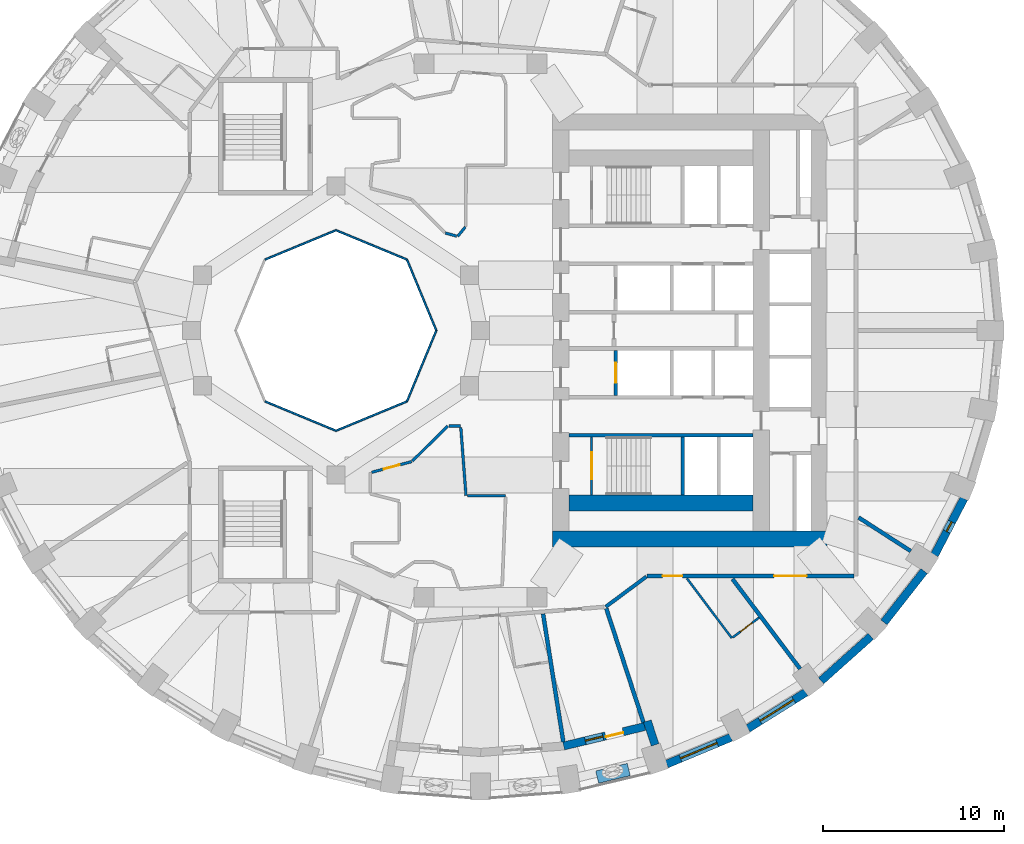
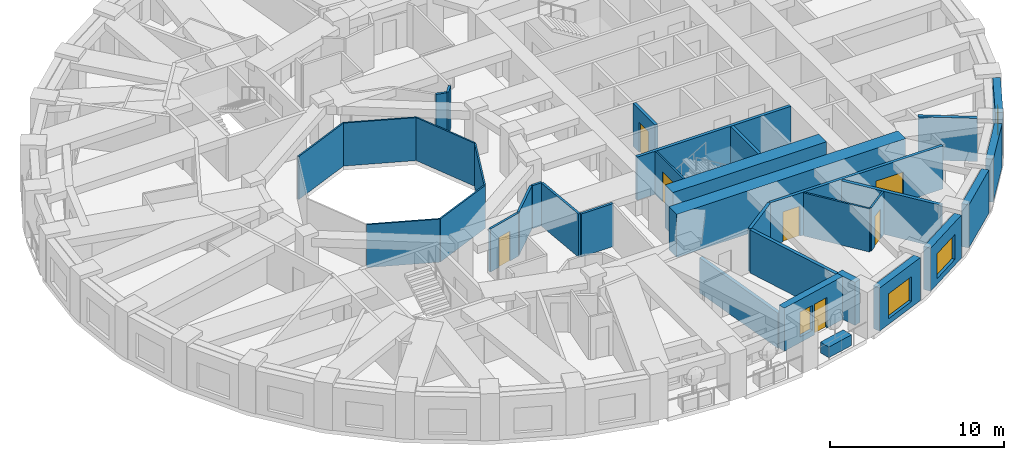
# One storey, part 5 of 13: 35 walls, 7 doors, 4 windows, 11 openings.
"""IFC4 building model written with IfcOpenShell, lengths in metres."""

from ifc_helpers import new_model, si_unit, direction, frame, frame_2d, origin, place, context, subcontext, project, spatial, rectangle, extrude, material, layer, layer_set, constituent, constituent_set, type_object, element, fill, save


model = new_model("IFC4")

# Units and contexts
model_context = context("Model", 3, precision=1e-05, world=origin(), true_north=direction((0.0, 1.0)))
body_context = subcontext(model_context, "Body", "Model", "MODEL_VIEW")
ifc_project = project(units=[si_unit("LENGTHUNIT", "METRE"), si_unit("AREAUNIT", "SQUARE_METRE"), si_unit("VOLUMEUNIT", "CUBIC_METRE"), si_unit("PLANEANGLEUNIT", "RADIAN"), si_unit("MASSUNIT", "GRAM", prefix="KILO")], contexts=[model_context])

# Site, building, storey
site_placement = place(None, origin())
site = spatial("IfcSite", under=ifc_project, at=site_placement, CompositionType="ELEMENT")
building_placement = place(site_placement, origin())
building = spatial("IfcBuilding", under=site, at=building_placement, Name="Taillehof Tower", CompositionType="ELEMENT")
storey_placement = place(building_placement, frame((0.0, 0.0, 38.199951171875)))
storey = spatial("IfcBuildingStorey", under=building, at=storey_placement, Name="L09", CompositionType="ELEMENT", Elevation=38.199951171875)

# Walls
ifc_material_1 = material(Name="Fire-resisting glass in steel frame", Category="steel")
ifc_layer_1 = layer(ifc_material_1, 0.10009765625)
ifc_layer_set_1 = layer_set([ifc_layer_1], Name="Atrium fire-resisting screen EI 60 100")
wall_type_1 = type_object("IfcWallType", Name="Atrium fire-resisting screen EI 60 100", PredefinedType="PARTITIONING", material=ifc_layer_set_1)
for number, where, z_axis, x_axis, name in (
    (1, (-2.44580078125, 0.0, 0.0), (0.0, 0.0, 1.0), (-0.382730523909, -0.923860025149, 0.0), "Atrium screen"),
    (2, (-4.07275390625, -3.92724609375, 0.0), (0.0, 0.0, 1.0), (-0.923860025149, -0.382730523909, 0.0), "Atrium screen"),
    (3, (-8.0, -5.55419921875, 0.0), (0.0, 0.0, 1.0), (-0.923860025149, 0.382730523909, 0.0), "Atrium screen"),
    (4, (-11.92724609375, 3.92724609375, 0.0), (0.0, 0.0, 1.0), (0.923860025149, 0.382730523909, 0.0), "Atrium screen"),
    (5, (-8.0, 5.55419921875, 0.0), (0.0, 0.0, 1.0), (0.923860025149, -0.382730523909, 0.0), "Atrium screen"),
    (6, (-4.07275390625, 3.92724609375, 0.0), (0.0, 0.0, 1.0), (0.382730523909, -0.923860025149, 0.0), "Atrium screen"),
):
    element("IfcWall", number, at=place(storey_placement, frame(where, z_axis=z_axis, x_axis=x_axis)), inside=storey, type_object=wall_type_1, Name=name, PredefinedType="PARTITIONING", context=body_context, shape_type="SweptSolid", body=[
        extrude(rectangle(XDim=4.2509765625, YDim=0.10009765625, at=frame_2d((2.12548828125, 0.0))), origin(), (0.0, 0.0, 1.0), 3.02001953125),
    ])

# Wall, opening, window
ifc_material_2 = material(Name="Brick masonry", Category="masonry")
ifc_layer_2 = layer(ifc_material_2, 0.449951171875)
ifc_layer_set_2 = layer_set([ifc_layer_2], Name="Brick infill wall 450")
wall_type_2 = type_object("IfcWallType", Name="Brick infill wall 450", PredefinedType="SOLIDWALL", material=ifc_layer_set_2)
wall_1_placement = place(storey_placement, frame((10.3154296875, -24.02099609375, 0.0), z_axis=(0.0, 0.0, 1.0), x_axis=(0.923031964282, 0.384723267966, 0.0)))
wall_1 = element("IfcWall", 7, at=wall_1_placement, inside=storey, type_object=wall_type_2, Name="Brick wall L09 bay 30", PredefinedType="SOLIDWALL", context=body_context, shape_type="SweptSolid", body=[
    extrude(rectangle(XDim=3.8564453125, YDim=0.449951171875, at=frame_2d((1.92822265625, 0.0))), origin(), (0.0, 0.0, 1.0), 3.02001953125),
])
opening_1_placement = place(wall_1_placement, frame((0.828125, 0.0, 0.39990234375)))
opening_1 = element("IfcOpeningElement", 8, at=opening_1_placement, cuts=wall_1, Name="Opening W1", PredefinedType="OPENING", context=body_context, shape_type="SweptSolid", body=[
    extrude(rectangle(XDim=2.199951171875, YDim=1.75, at=frame_2d((1.10009765625, 0.875))), frame((0.0, 0.23486328125, 0.0), z_axis=(0.0, -1.0, 0.0), x_axis=(1.0, 0.0, 0.0)), (0.0, 0.0, 1.0), 0.469970703125),
])
ifc_material_3 = material(Name="Aluminium window frame with clear double glazing", Category="aluminium")
window_type_1 = type_object("IfcWindowType", Name="Deep-set window 2200x1750", PartitioningType="SINGLE_PANEL", PredefinedType="WINDOW", material=ifc_material_3)
window_1_placement = place(opening_1_placement, origin())
window_1 = element("IfcWindow", 9, at=window_1_placement, inside=storey, type_object=window_type_1, Name="W1", OverallHeight=1.75, OverallWidth=2.199951171875, PartitioningType="SINGLE_PANEL", PredefinedType="WINDOW", context=body_context, shape_type="SweptSolid", body=[
    extrude(rectangle(XDim=2.199951171875, YDim=1.75, at=frame_2d((1.10009765625, 0.875))), frame((0.0, 0.034912109375, 0.0), z_axis=(0.0, -1.0, 0.0), x_axis=(1.0, 0.0, 0.0)), (0.0, 0.0, 1.0), 0.06005859375),
])
fill(opening_1, window_1)

wall_2_placement = place(storey_placement, frame((14.81689453125, -22.050537109375, 0.0), z_axis=(0.0, 0.0, 1.0), x_axis=(0.847635480093, 0.530579016629, 0.0)))
wall_2 = element("IfcWall", 10, at=wall_2_placement, inside=storey, type_object=wall_type_2, Name="Brick wall L09 bay 31", PredefinedType="SOLIDWALL", context=body_context, shape_type="SweptSolid", body=[
    extrude(rectangle(XDim=3.782470703125, YDim=0.449951171875, at=frame_2d((1.89111328125, 0.0))), origin(), (0.0, 0.0, 1.0), 3.02001953125),
])
opening_2_placement = place(wall_2_placement, frame((0.791259765625, 0.0, 0.39990234375)))
opening_2 = element("IfcOpeningElement", 11, at=opening_2_placement, cuts=wall_2, Name="Opening W1", PredefinedType="OPENING", context=body_context, shape_type="SweptSolid", body=[
    extrude(rectangle(XDim=2.199951171875, YDim=1.75, at=frame_2d((1.10009765625, 0.875))), frame((0.0, 0.23486328125, 0.0), z_axis=(0.0, -1.0, 0.0), x_axis=(1.0, 0.0, 0.0)), (0.0, 0.0, 1.0), 0.469970703125),
])
window_2_placement = place(opening_2_placement, origin())
window_2 = element("IfcWindow", 12, at=window_2_placement, inside=storey, type_object=window_type_1, Name="W1", OverallHeight=1.75, OverallWidth=2.199951171875, PartitioningType="SINGLE_PANEL", PredefinedType="WINDOW", context=body_context, shape_type="SweptSolid", body=[
    extrude(rectangle(XDim=2.199951171875, YDim=1.75, at=frame_2d((1.10009765625, 0.875))), frame((0.0, 0.034912109375, 0.0), z_axis=(0.0, -1.0, 0.0), x_axis=(1.0, 0.0, 0.0)), (0.0, 0.0, 1.0), 0.06005859375),
])
fill(opening_2, window_2)

# Walls
wall_3_placement = place(storey_placement, frame((18.87060546875, -19.406982421875, 0.0), z_axis=(0.0, 0.0, 1.0), x_axis=(0.745526233716, 0.66647628228, 0.0)))
element("IfcWall", 13, at=wall_3_placement, inside=storey, type_object=wall_type_2, Name="Brick wall L09 bay 32", PredefinedType="SOLIDWALL", context=body_context, shape_type="SweptSolid", body=[
    extrude(rectangle(XDim=3.69677734375, YDim=0.449951171875, at=frame_2d((1.848388671875, 0.0))), origin(), (0.0, 0.0, 1.0), 3.02001953125),
])
wall_4_placement = place(storey_placement, frame((22.3515625, -16.169677734375, 0.0), z_axis=(0.0, 0.0, 1.0), x_axis=(0.616661975264, 0.787228053529, 0.0)))
element("IfcWall", 14, at=wall_4_placement, inside=storey, type_object=wall_type_2, Name="Brick wall L09 bay 33", PredefinedType="SOLIDWALL", context=body_context, shape_type="SweptSolid", body=[
    extrude(rectangle(XDim=3.60986328125, YDim=0.449951171875, at=frame_2d((1.804931640625, 0.0))), origin(), (0.0, 0.0, 1.0), 3.02001953125),
])

# Wall, opening, window
wall_5_placement = place(storey_placement, frame((25.152099609375, -12.436767578125, 0.0), z_axis=(0.0, 0.0, 1.0), x_axis=(0.462492775226, 0.886623050041, 0.0)))
wall_5 = element("IfcWall", 15, at=wall_5_placement, inside=storey, type_object=wall_type_2, Name="Brick wall L09 bay 34", PredefinedType="SOLIDWALL", context=body_context, shape_type="SweptSolid", body=[
    extrude(rectangle(XDim=3.531982421875, YDim=0.449951171875, at=frame_2d((1.76611328125, 0.0))), origin(), (0.0, 0.0, 1.0), 3.02001953125),
])
opening_3_placement = place(wall_5_placement, frame((1.466064453125, 0.0, 0.39990234375)))
opening_3 = element("IfcOpeningElement", 16, at=opening_3_placement, cuts=wall_5, Name="Opening W6", PredefinedType="OPENING", context=body_context, shape_type="SweptSolid", body=[
    extrude(rectangle(XDim=0.60009765625, YDim=1.75, at=frame_2d((0.300048828125, 0.875))), frame((0.0, 0.23486328125, 0.0), z_axis=(0.0, -1.0, 0.0), x_axis=(1.0, 0.0, 0.0)), (0.0, 0.0, 1.0), 0.469970703125),
])
ifc_material_4 = material(Name="Aluminium window frame with clear double glazing", Category="aluminium")
window_type_2 = type_object("IfcWindowType", Name="Slot window 600x1750", PartitioningType="SINGLE_PANEL", PredefinedType="WINDOW", material=ifc_material_4)
window_3_placement = place(opening_3_placement, origin())
window_3 = element("IfcWindow", 17, at=window_3_placement, inside=storey, type_object=window_type_2, Name="W6", OverallHeight=1.75, OverallWidth=0.60009765625, PartitioningType="SINGLE_PANEL", PredefinedType="WINDOW", context=body_context, shape_type="SweptSolid", body=[
    extrude(rectangle(XDim=0.60009765625, YDim=1.75, at=frame_2d((0.300048828125, 0.875))), frame((0.0, 0.034912109375, 0.0), z_axis=(0.0, -1.0, 0.0), x_axis=(1.0, 0.0, 0.0)), (0.0, 0.0, 1.0), 0.06005859375),
])
fill(opening_3, window_3)

# Wall
wall_6_placement = place(storey_placement, frame((9.673583984375, -22.95556640625, 0.0), z_axis=(0.0, 0.0, 1.0), x_axis=(-0.310269011655, 0.950648799719, 0.0)))
element("IfcWall", 18, at=wall_6_placement, inside=storey, type_object=wall_type_2, Name="Brick reveal L09 pocket 8", PredefinedType="SOLIDWALL", context=body_context, shape_type="SweptSolid", body=[
    extrude(rectangle(XDim=1.390380859375, YDim=0.449951171875, at=frame_2d((0.6953125, 0.0))), origin(), (0.0, 0.0, 1.0), 3.02001953125),
])

# Wall, openings, door, window
wall_7_placement = place(storey_placement, frame((4.6083984375, -23.015625, 0.0), z_axis=(0.0, 0.0, 1.0), x_axis=(0.972343667289, 0.233554688847, 0.0)))
wall_7 = element("IfcWall", 19, at=wall_7_placement, inside=storey, type_object=wall_type_2, Name="Brick wall L09 pocket bay 29", PredefinedType="SOLIDWALL", context=body_context, shape_type="SweptSolid", body=[
    extrude(rectangle(XDim=4.62353515625, YDim=0.449951171875, at=frame_2d((2.311767578125, 0.0))), origin(), (0.0, 0.0, 1.0), 3.02001953125),
])
opening_4_placement = place(wall_7_placement, frame((1.23681640625, 0.0, 0.39990234375)))
opening_4 = element("IfcOpeningElement", 20, at=opening_4_placement, cuts=wall_7, Name="Opening W5", PredefinedType="OPENING", context=body_context, shape_type="SweptSolid", body=[
    extrude(rectangle(XDim=1.0, YDim=1.75, at=frame_2d((0.5, 0.875))), frame((0.0, 0.23486328125, 0.0), z_axis=(0.0, -1.0, 0.0), x_axis=(1.0, 0.0, 0.0)), (0.0, 0.0, 1.0), 0.469970703125),
])
opening_5_placement = place(wall_7_placement, frame((2.38671875, 0.0, 0.0)))
opening_5 = element("IfcOpeningElement", 21, at=opening_5_placement, cuts=wall_7, Name="Opening D0996", PredefinedType="OPENING", context=body_context, shape_type="SweptSolid", body=[
    extrude(rectangle(XDim=1.0, YDim=2.14990234375, at=frame_2d((0.5, 1.074951171875))), frame((0.0, 0.23486328125, 0.0), z_axis=(0.0, -1.0, 0.0), x_axis=(1.0, 0.0, 0.0)), (0.0, 0.0, 1.0), 0.469970703125),
])
ifc_material_5 = material(Name="Aluminium door frame with clear double glazing", Category="aluminium")
door_type_1 = type_object("IfcDoorType", Name="Balcony door 1000x2150", OperationType="SINGLE_SWING_RIGHT", PredefinedType="DOOR", material=ifc_material_5)
door_1_placement = place(opening_5_placement, frame((1.0, 0.0, 0.0), z_axis=(0.0, 0.0, 1.0), x_axis=(-1.0, 0.0, 0.0)))
door_1 = element("IfcDoor", 22, at=door_1_placement, inside=storey, type_object=door_type_1, Name="Balcony door L09 bay 29", OperationType="SINGLE_SWING_LEFT", OverallHeight=2.14990234375, OverallWidth=1.0, PredefinedType="DOOR", context=body_context, shape_type="SweptSolid", body=[
    extrude(rectangle(XDim=1.0, YDim=2.14990234375, at=frame_2d((0.5, 1.074951171875))), frame((0.0, 0.0751953125, 0.0), z_axis=(0.0, -1.0, 0.0), x_axis=(1.0, 0.0, 0.0)), (0.0, 0.0, 1.0), 0.050048828125),
])
fill(opening_5, door_1)
ifc_material_6 = material(Name="Aluminium window frame with clear double glazing", Category="aluminium")
window_type_3 = type_object("IfcWindowType", Name="Fixed window 1000x1750", PartitioningType="SINGLE_PANEL", PredefinedType="WINDOW", material=ifc_material_6)
window_4_placement = place(opening_4_placement, origin())
window_4 = element("IfcWindow", 23, at=window_4_placement, inside=storey, type_object=window_type_3, Name="W5", OverallHeight=1.75, OverallWidth=1.0, PartitioningType="SINGLE_PANEL", PredefinedType="WINDOW", context=body_context, shape_type="SweptSolid", body=[
    extrude(rectangle(XDim=1.0, YDim=1.75, at=frame_2d((0.5, 0.875))), frame((0.0, 0.034912109375, 0.0), z_axis=(0.0, -1.0, 0.0), x_axis=(1.0, 0.0, 0.0)), (0.0, 0.0, 1.0), 0.06005859375),
])
fill(opening_4, window_4)

# Wall, openings, doors
ifc_material_7 = material(Name="Gypsum board on steel studs, two layers each side", Category="steel")
ifc_layer_3 = layer(ifc_material_7, 0.199951171875)
ifc_layer_set_3 = layer_set([ifc_layer_3], Name="Compartment wall corridor 200")
wall_type_3 = type_object("IfcWallType", Name="Compartment wall corridor 200", PredefinedType="PARTITIONING", material=ifc_layer_set_3)
wall_8_placement = place(storey_placement, frame((20.699951171875, -13.60009765625, 0.0), z_axis=(0.0, 0.0, 1.0), x_axis=(-1.0, 0.0, 0.0)))
wall_8 = element("IfcWall", 24, at=wall_8_placement, inside=storey, type_object=wall_type_3, Name="Compartment wall", PredefinedType="PARTITIONING", context=body_context, shape_type="SweptSolid", body=[
    extrude(rectangle(XDim=11.462890625, YDim=0.199951171875, at=frame_2d((5.7314453125, 0.0))), origin(), (0.0, 0.0, 1.0), 3.02001953125),
])
opening_6_placement = place(wall_8_placement, frame((9.509033203125, 0.0, 0.0)))
opening_6 = element("IfcOpeningElement", 25, at=opening_6_placement, cuts=wall_8, Name="Opening D0960", PredefinedType="OPENING", context=body_context, shape_type="SweptSolid", body=[
    extrude(rectangle(XDim=1.10009765625, YDim=2.10009765625, at=frame_2d((0.550048828125, 1.050048828125))), frame((0.0, 0.10986328125, 0.0), z_axis=(0.0, -1.0, 0.0), x_axis=(1.0, 0.0, 0.0)), (0.0, 0.0, 1.0), 0.219970703125),
])
opening_7_placement = place(wall_8_placement, frame((2.6376953125, 0.0, 0.0)))
opening_7 = element("IfcOpeningElement", 26, at=opening_7_placement, cuts=wall_8, Name="Opening D0962", PredefinedType="OPENING", context=body_context, shape_type="SweptSolid", body=[
    extrude(rectangle(XDim=1.800048828125, YDim=2.10009765625, at=frame_2d((0.89990234375, 1.050048828125))), frame((0.0, 0.10986328125, 0.0), z_axis=(0.0, -1.0, 0.0), x_axis=(1.0, 0.0, 0.0)), (0.0, 0.0, 1.0), 0.219970703125),
])
ifc_material_8 = material(Name="Timber door leaf in steel frame", Category="steel")
door_type_2 = type_object("IfcDoorType", Name="Lounge and meeting room double door EI 30 1800 x 2100", OperationType="SINGLE_SWING_LEFT", PredefinedType="DOOR", material=ifc_material_8)
door_2_placement = place(opening_7_placement, origin())
door_2 = element("IfcDoor", 27, at=door_2_placement, inside=storey, type_object=door_type_2, Name="D0962", OperationType="DOUBLE_DOOR_SINGLE_SWING", OverallHeight=2.10009765625, OverallWidth=1.800048828125, PredefinedType="DOOR", context=body_context, shape_type="SweptSolid", body=[
    extrude(rectangle(XDim=1.800048828125, YDim=2.10009765625, at=frame_2d((0.89990234375, 1.050048828125))), frame((0.0, 0.02490234375, 0.0), z_axis=(0.0, -1.0, 0.0), x_axis=(1.0, 0.0, 0.0)), (0.0, 0.0, 1.0), 0.050048828125),
])
fill(opening_7, door_2)
ifc_material_9 = material(Name="Timber door leaf in steel frame", Category="steel")
door_type_3 = type_object("IfcDoorType", Name="Suite entrance door EI 30 1100 x 2100", OperationType="SINGLE_SWING_LEFT", PredefinedType="DOOR", material=ifc_material_9)
door_3_placement = place(opening_6_placement, origin())
door_3 = element("IfcDoor", 28, at=door_3_placement, inside=storey, type_object=door_type_3, Name="D0960", OperationType="SINGLE_SWING_LEFT", OverallHeight=2.10009765625, OverallWidth=1.10009765625, PredefinedType="DOOR", context=body_context, shape_type="SweptSolid", body=[
    extrude(rectangle(XDim=1.10009765625, YDim=2.10009765625, at=frame_2d((0.550048828125, 1.050048828125))), frame((0.0, 0.02490234375, 0.0), z_axis=(0.0, -1.0, 0.0), x_axis=(1.0, 0.0, 0.0)), (0.0, 0.0, 1.0), 0.050048828125),
])
fill(opening_6, door_3)

# Walls
wall_9_placement = place(storey_placement, frame((9.188720703125, -13.635986328125, 0.0), z_axis=(0.0, 0.0, 1.0), x_axis=(-0.8028261118, -0.596213245586, 0.0)))
element("IfcWall", 29, at=wall_9_placement, inside=storey, type_object=wall_type_3, Name="Compartment wall", PredefinedType="PARTITIONING", context=body_context, shape_type="SweptSolid", body=[
    extrude(rectangle(XDim=2.800537109375, YDim=0.199951171875, at=frame_2d((1.400390625, 0.0))), origin(), (0.0, 0.0, 1.0), 3.02001953125),
])
ifc_material_10 = material(Name="Gypsum board on double steel studs with mineral wool", Category="steel")
ifc_layer_4 = layer(ifc_material_10, 0.219970703125)
ifc_layer_set_4 = layer_set([ifc_layer_4], Name="Compartment wall guest room 220")
wall_type_4 = type_object("IfcWallType", Name="Compartment wall guest room 220", PredefinedType="PARTITIONING", material=ifc_layer_set_4)
wall_10_placement = place(storey_placement, frame((4.590576171875, -22.78857421875, 0.0), z_axis=(0.0, 0.0, 1.0), x_axis=(-0.156144168019, 0.987734275397, 0.0)))
element("IfcWall", 30, at=wall_10_placement, inside=storey, type_object=wall_type_4, Name="Compartment wall", PredefinedType="PARTITIONING", context=body_context, shape_type="SweptSolid", body=[
    extrude(rectangle(XDim=7.179931640625, YDim=0.219970703125, at=frame_2d((3.58984375, 0.0))), origin(), (0.0, 0.0, 1.0), 2.469970703125),
])
wall_11_placement = place(storey_placement, frame((9.033935546875, -21.72119140625, 0.0), z_axis=(0.0, 0.0, 1.0), x_axis=(-0.31029478083, 0.95064038889, 0.0)))
element("IfcWall", 31, at=wall_11_placement, inside=storey, type_object=wall_type_4, Name="Compartment wall", PredefinedType="PARTITIONING", context=body_context, shape_type="SweptSolid", body=[
    extrude(rectangle(XDim=6.6484375, YDim=0.219970703125, at=frame_2d((3.32421875, 0.0))), origin(), (0.0, 0.0, 1.0), 3.02001953125),
])
wall_12_placement = place(storey_placement, frame((17.707763671875, -18.7431640625, 0.0), z_axis=(0.0, 0.0, 1.0), x_axis=(-0.601177883261, 0.799115231164, 0.0)))
element("IfcWall", 32, at=wall_12_placement, inside=storey, type_object=wall_type_4, Name="Compartment wall", PredefinedType="PARTITIONING", context=body_context, shape_type="SweptSolid", body=[
    extrude(rectangle(XDim=6.231201171875, YDim=0.219970703125, at=frame_2d((3.11572265625, 0.0))), origin(), (0.0, 0.0, 1.0), 3.02001953125),
])
wall_13_placement = place(storey_placement, frame((23.834716796875, -12.218994140625, 0.0), z_axis=(0.0, 0.0, 1.0), x_axis=(-0.840694872373, 0.541509124176, 0.0)))
element("IfcWall", 33, at=wall_13_placement, inside=storey, type_object=wall_type_4, Name="Compartment wall", PredefinedType="PARTITIONING", context=body_context, shape_type="SweptSolid", body=[
    extrude(rectangle(XDim=3.430419921875, YDim=0.219970703125, at=frame_2d((1.71533203125, 0.0))), origin(), (0.0, 0.0, 1.0), 3.02001953125),
])
ifc_material_11 = material(Name="Gypsum board on steel studs, two layers each side", Category="steel")
ifc_layer_5 = layer(ifc_material_11, 0.14990234375)
ifc_layer_set_5 = layer_set([ifc_layer_5], Name="Compartment wall service room 150")
wall_type_5 = type_object("IfcWallType", Name="Compartment wall service room 150", PredefinedType="PARTITIONING", material=ifc_layer_set_5)
wall_14_placement = place(storey_placement, frame((-0.83837890625, 5.73095703125, 0.0), z_axis=(0.0, 0.0, 1.0), x_axis=(-0.634227442266, -0.773146526524, 0.0)))
element("IfcWall", 34, at=wall_14_placement, inside=storey, type_object=wall_type_5, Name="Compartment wall", PredefinedType="PARTITIONING", context=body_context, shape_type="SweptSolid", body=[
    extrude(rectangle(XDim=0.67138671875, YDim=0.14990234375, at=frame_2d((0.335693359375, 0.0))), origin(), (0.0, 0.0, 1.0), 3.02001953125),
])
wall_15_placement = place(storey_placement, frame((-1.322021484375, 5.22802734375, 0.0), z_axis=(0.0, 0.0, 1.0), x_axis=(-0.963895729021, 0.266279972163, 0.0)))
element("IfcWall", 35, at=wall_15_placement, inside=storey, type_object=wall_type_5, Name="Compartment wall", PredefinedType="PARTITIONING", context=body_context, shape_type="SweptSolid", body=[
    extrude(rectangle(XDim=0.646484375, YDim=0.14990234375, at=frame_2d((0.3232421875, 0.0))), origin(), (0.0, 0.0, 1.0), 3.02001953125),
])

# Wall, opening, door
wall_16_placement = place(storey_placement, frame((-6.02294921875, -7.856201171875, 0.0), z_axis=(0.0, 0.0, 1.0), x_axis=(0.965896736613, 0.258927584859, 0.0)))
wall_16 = element("IfcWall", 36, at=wall_16_placement, inside=storey, type_object=wall_type_5, Name="Compartment wall", PredefinedType="PARTITIONING", context=body_context, shape_type="SweptSolid", body=[
    extrude(rectangle(XDim=2.2939453125, YDim=0.14990234375, at=frame_2d((1.14697265625, 0.0))), origin(), (0.0, 0.0, 1.0), 3.02001953125),
])
opening_8_placement = place(wall_16_placement, frame((0.697021484375, 0.0, 0.0)))
opening_8 = element("IfcOpeningElement", 37, at=opening_8_placement, cuts=wall_16, Name="Opening D0967", PredefinedType="OPENING", context=body_context, shape_type="SweptSolid", body=[
    extrude(rectangle(XDim=0.89990234375, YDim=2.10009765625, at=frame_2d((0.449951171875, 1.050048828125))), frame((0.0, 0.0849609375, 0.0), z_axis=(0.0, -1.0, 0.0), x_axis=(1.0, 0.0, 0.0)), (0.0, 0.0, 1.0), 0.169921875),
])
ifc_material_12 = material(Name="Timber door leaf in steel frame", Category="steel")
door_type_4 = type_object("IfcDoorType", Name="Service room door EI 30 900 x 2100", OperationType="SINGLE_SWING_LEFT", PredefinedType="DOOR", material=ifc_material_12)
door_4_placement = place(opening_8_placement, origin())
door_4 = element("IfcDoor", 38, at=door_4_placement, inside=storey, type_object=door_type_4, Name="D0967", OperationType="SINGLE_SWING_RIGHT", OverallHeight=2.10009765625, OverallWidth=0.89990234375, PredefinedType="DOOR", context=body_context, shape_type="SweptSolid", body=[
    extrude(rectangle(XDim=0.89990234375, YDim=2.10009765625, at=frame_2d((0.449951171875, 1.050048828125))), frame((0.0, 0.02490234375, 0.0), z_axis=(0.0, -1.0, 0.0), x_axis=(1.0, 0.0, 0.0)), (0.0, 0.0, 1.0), 0.050048828125),
])
fill(opening_8, door_4)

# Walls
wall_17_placement = place(storey_placement, frame((-3.77880859375, -7.234375, 0.0), z_axis=(0.0, 0.0, 1.0), x_axis=(0.712684144815, 0.701485074487, 0.0)))
element("IfcWall", 39, at=wall_17_placement, inside=storey, type_object=wall_type_5, Name="Compartment wall", PredefinedType="PARTITIONING", context=body_context, shape_type="SweptSolid", body=[
    extrude(rectangle(XDim=2.7685546875, YDim=0.14990234375, at=frame_2d((1.38427734375, 0.0))), origin(), (0.0, 0.0, 1.0), 3.02001953125),
])
wall_18_placement = place(storey_placement, frame((-1.74560546875, -5.292236328125, 0.0), z_axis=(0.0, 0.0, 1.0), x_axis=(1.0, 0.0, 0.0)))
element("IfcWall", 40, at=wall_18_placement, inside=storey, type_object=wall_type_5, Name="Compartment wall", PredefinedType="PARTITIONING", context=body_context, shape_type="SweptSolid", body=[
    extrude(rectangle(XDim=0.651123046875, YDim=0.14990234375, at=frame_2d((0.32568359375, 0.0))), origin(), (0.0, 0.0, 1.0), 3.02001953125),
])
wall_19_placement = place(storey_placement, frame((-1.088623046875, -5.372314453125, 0.0), z_axis=(0.0, 0.0, 1.0), x_axis=(0.076169209517, -0.997094905975, 0.0)))
element("IfcWall", 41, at=wall_19_placement, inside=storey, type_object=wall_type_5, Name="Compartment wall", PredefinedType="PARTITIONING", context=body_context, shape_type="SweptSolid", body=[
    extrude(rectangle(XDim=3.78857421875, YDim=0.14990234375, at=frame_2d((1.894287109375, 0.0))), origin(), (0.0, 0.0, 1.0), 3.02001953125),
])
wall_20_placement = place(storey_placement, frame((-0.719970703125, -9.14990234375, 0.0), z_axis=(0.0, 0.0, 1.0), x_axis=(1.0, 0.0, 0.0)))
element("IfcWall", 42, at=wall_20_placement, inside=storey, type_object=wall_type_5, Name="Compartment wall", PredefinedType="PARTITIONING", context=body_context, shape_type="SweptSolid", body=[
    extrude(rectangle(XDim=2.119873046875, YDim=0.14990234375, at=frame_2d((1.06005859375, 0.0))), origin(), (0.0, 0.0, 1.0), 3.02001953125),
])
ifc_material_13 = material(Name="Concrete C80/95", Category="concrete")
ifc_layer_6 = layer(ifc_material_13, 0.89990234375)
ifc_layer_set_6 = layer_set([ifc_layer_6], Name="Core wall C80/95 900")
wall_type_6 = type_object("IfcWallType", Name="Core wall C80/95 900", PredefinedType="SHEAR", material=ifc_layer_set_6)
wall_21_placement = place(storey_placement, frame((4.0, -11.550048828125, 0.0), z_axis=(0.0, 0.0, 1.0), x_axis=(1.0, 0.0, 0.0)))
element("IfcWall", 43, at=wall_21_placement, inside=storey, type_object=wall_type_6, Name="Core wall CW04", PredefinedType="SHEAR", context=body_context, shape_type="SweptSolid", body=[
    extrude(rectangle(XDim=15.199951171875, YDim=0.89990234375, at=frame_2d((7.60009765625, 0.0))), origin(), (0.0, 0.0, 1.0), 3.02001953125),
])
wall_22_placement = place(storey_placement, frame((4.89990234375, -9.550048828125, 0.0), z_axis=(0.0, 0.0, 1.0), x_axis=(1.0, 0.0, 0.0)))
element("IfcWall", 44, at=wall_22_placement, inside=storey, type_object=wall_type_6, Name="Core wall CW07", PredefinedType="SHEAR", context=body_context, shape_type="SweptSolid", body=[
    extrude(rectangle(XDim=10.2001953125, YDim=0.89990234375, at=frame_2d((5.10009765625, 0.0))), origin(), (0.0, 0.0, 1.0), 3.02001953125),
])
ifc_material_14 = material(Name="Gypsum board on steel studs, moisture resistant", Category="steel")
ifc_layer_7 = layer(ifc_material_14, 0.1201171875)
ifc_layer_set_7 = layer_set([ifc_layer_7], Name="En-suite wall 120")
wall_type_7 = type_object("IfcWallType", Name="En-suite wall 120", PredefinedType="PARTITIONING", material=ifc_layer_set_7)
wall_23_placement = place(storey_placement, frame((11.43505859375, -13.73193359375, 0.0), z_axis=(0.0, 0.0, 1.0), x_axis=(0.601178939522, -0.799114436533, 0.0)))
element("IfcWall", 45, at=wall_23_placement, inside=storey, type_object=wall_type_7, Name="En-suite wall", PredefinedType="PARTITIONING", context=body_context, shape_type="SweptSolid", body=[
    extrude(rectangle(XDim=4.139404296875, YDim=0.1201171875, at=frame_2d((2.06982421875, 0.0))), origin(), (0.0, 0.0, 1.0), 3.02001953125),
])

# Wall, opening, door
wall_24_placement = place(storey_placement, frame((13.97119140625, -17.00390625, 0.0), z_axis=(0.0, 0.0, 1.0), x_axis=(0.799231057954, 0.60102388971, 0.0)))
wall_24 = element("IfcWall", 46, at=wall_24_placement, inside=storey, type_object=wall_type_7, Name="En-suite wall", PredefinedType="PARTITIONING", context=body_context, shape_type="SweptSolid", body=[
    extrude(rectangle(XDim=1.830322265625, YDim=0.1201171875, at=frame_2d((0.9150390625, 0.0))), origin(), (0.0, 0.0, 1.0), 3.02001953125),
])
opening_9_placement = place(wall_24_placement, frame((0.540283203125, 0.0, 0.0)))
opening_9 = element("IfcOpeningElement", 47, at=opening_9_placement, cuts=wall_24, Name="Opening D0961", PredefinedType="OPENING", context=body_context, shape_type="SweptSolid", body=[
    extrude(rectangle(XDim=0.800048828125, YDim=2.10009765625, at=frame_2d((0.39990234375, 1.050048828125))), frame((0.0, 0.070068359375, 0.0), z_axis=(0.0, -1.0, 0.0), x_axis=(1.0, 0.0, 0.0)), (0.0, 0.0, 1.0), 0.14013671875),
])
ifc_material_15 = material(Name="Timber door leaf in steel frame", Category="steel")
door_type_5 = type_object("IfcDoorType", Name="En-suite door 800 x 2100", OperationType="SINGLE_SWING_LEFT", PredefinedType="DOOR", material=ifc_material_15)
door_5_placement = place(opening_9_placement, origin())
door_5 = element("IfcDoor", 48, at=door_5_placement, inside=storey, type_object=door_type_5, Name="D0961", OperationType="SINGLE_SWING_LEFT", OverallHeight=2.10009765625, OverallWidth=0.800048828125, PredefinedType="DOOR", context=body_context, shape_type="SweptSolid", body=[
    extrude(rectangle(XDim=0.800048828125, YDim=2.10009765625, at=frame_2d((0.39990234375, 1.050048828125))), frame((0.0, 0.02490234375, 0.0), z_axis=(0.0, -1.0, 0.0), x_axis=(1.0, 0.0, 0.0)), (0.0, 0.0, 1.0), 0.050048828125),
])
fill(opening_9, door_5)

# Walls
ifc_material_16 = material(Name="Concrete C30/37 precast", Category="concrete")
ifc_constituent_1 = constituent(ifc_material_16, Name="Structure", Category="concrete")
ifc_material_17 = material(Name="Insulated lining")
ifc_constituent_2 = constituent(ifc_material_17, Name="Lining")
ifc_constituent_set = constituent_set(constituents=[ifc_constituent_1, ifc_constituent_2], Name="Planter trough 700x750")
wall_type_8 = type_object("IfcWallType", Name="Planter trough 700x750", PredefinedType="USERDEFINED", material=ifc_constituent_set)
wall_25_placement = place(storey_placement, frame((6.464599609375, -24.7373046875, 0.0), z_axis=(0.0, 0.0, 1.0), x_axis=(0.972504142103, 0.232885580473, 0.0)))
element("IfcWall", 49, at=wall_25_placement, inside=storey, type_object=wall_type_8, Name="Planter L09 bay 29", ObjectType="PLANTER", PredefinedType="USERDEFINED", context=body_context, shape_type="SweptSolid", body=[
    extrude(rectangle(XDim=1.800048828125, YDim=0.699951171875, at=frame_2d((0.89990234375, 0.0))), origin(), (0.0, 0.0, 1.0), 0.75),
])
ifc_material_18 = material(Name="Concrete C50/60", Category="concrete")
ifc_layer_8 = layer(ifc_material_18, 0.199951171875)
ifc_layer_set_8 = layer_set([ifc_layer_8], Name="Shaft wall C50/60 200")
wall_type_9 = type_object("IfcWallType", Name="Shaft wall C50/60 200", PredefinedType="SHEAR", material=ifc_layer_set_8)
wall_26_placement = place(storey_placement, frame((4.89990234375, -5.800048828125, 0.0), z_axis=(0.0, 0.0, 1.0), x_axis=(1.0, 0.0, 0.0)))
element("IfcWall", 50, at=wall_26_placement, inside=storey, type_object=wall_type_9, Name="Shaft wall SW", PredefinedType="SHEAR", context=body_context, shape_type="SweptSolid", body=[
    extrude(rectangle(XDim=10.2001953125, YDim=0.199951171875, at=frame_2d((5.10009765625, 0.0))), origin(), (0.0, 0.0, 1.0), 3.02001953125),
])
wall_27_placement = place(storey_placement, frame((11.199951171875, -9.10009765625, 0.0), z_axis=(0.0, 0.0, 1.0), x_axis=(0.0, 1.0, 0.0)))
element("IfcWall", 51, at=wall_27_placement, inside=storey, type_object=wall_type_9, Name="Shaft wall SW", PredefinedType="SHEAR", context=body_context, shape_type="SweptSolid", body=[
    extrude(rectangle(XDim=3.2001953125, YDim=0.199951171875, at=frame_2d((1.60009765625, 0.0))), origin(), (0.0, 0.0, 1.0), 3.02001953125),
])

# Wall, opening, door
wall_28_placement = place(storey_placement, frame((7.5, -3.60009765625, 0.0), z_axis=(0.0, 0.0, 1.0), x_axis=(0.0, 1.0, 0.0)))
wall_28 = element("IfcWall", 52, at=wall_28_placement, inside=storey, type_object=wall_type_9, Name="Shaft wall SW", PredefinedType="SHEAR", context=body_context, shape_type="SweptSolid", body=[
    extrude(rectangle(XDim=2.5, YDim=0.199951171875, at=frame_2d((1.25, 0.0))), origin(), (0.0, 0.0, 1.0), 3.02001953125),
])
opening_10_placement = place(wall_28_placement, frame((0.699951171875, 0.0, 0.0)))
opening_10 = element("IfcOpeningElement", 53, at=opening_10_placement, cuts=wall_28, Name="Opening LD1", PredefinedType="OPENING", context=body_context, shape_type="SweptSolid", body=[
    extrude(rectangle(XDim=1.10009765625, YDim=2.10009765625, at=frame_2d((0.550048828125, 1.050048828125))), frame((0.0, 0.10986328125, 0.0), z_axis=(0.0, -1.0, 0.0), x_axis=(1.0, 0.0, 0.0)), (0.0, 0.0, 1.0), 0.219970703125),
])
ifc_material_19 = material(Name="Stainless steel", Category="steel")
door_type_6 = type_object("IfcDoorType", Name="Lift landing door LD1 1100x2100", OperationType="DOUBLE_DOOR_SLIDING", PredefinedType="DOOR", material=ifc_material_19)
door_6_placement = place(opening_10_placement, origin())
door_6 = element("IfcDoor", 54, at=door_6_placement, inside=storey, type_object=door_type_6, Name="Landing door FF2", OperationType="DOUBLE_DOOR_SLIDING", OverallHeight=2.10009765625, OverallWidth=1.10009765625, PredefinedType="DOOR", context=body_context, shape_type="SweptSolid", body=[
    extrude(rectangle(XDim=1.10009765625, YDim=2.10009765625, at=frame_2d((0.550048828125, 1.050048828125))), frame((0.0, 0.02490234375, 0.0), z_axis=(0.0, -1.0, 0.0), x_axis=(1.0, 0.0, 0.0)), (0.0, 0.0, 1.0), 0.050048828125),
])
fill(opening_10, door_6)

ifc_material_20 = material(Name="Concrete C50/60", Category="concrete")
ifc_layer_9 = layer(ifc_material_20, 0.1201171875)
ifc_layer_set_9 = layer_set([ifc_layer_9], Name="Stair lobby wall C50/60 120")
wall_type_10 = type_object("IfcWallType", Name="Stair lobby wall C50/60 120", PredefinedType="SHEAR", material=ifc_layer_set_9)
wall_29_placement = place(storey_placement, frame((6.159912109375, -9.10009765625, 0.0), z_axis=(0.0, 0.0, 1.0), x_axis=(0.0, 1.0, 0.0)))
wall_29 = element("IfcWall", 55, at=wall_29_placement, inside=storey, type_object=wall_type_10, Name="Compartment wall SW", PredefinedType="SHEAR", context=body_context, shape_type="SweptSolid", body=[
    extrude(rectangle(XDim=3.2001953125, YDim=0.1201171875, at=frame_2d((1.60009765625, 0.0))), origin(), (0.0, 0.0, 1.0), 3.02001953125),
])
opening_11_placement = place(wall_29_placement, frame((0.85009765625, 0.0, 0.0)))
opening_11 = element("IfcOpeningElement", 56, at=opening_11_placement, cuts=wall_29, Name="Opening D0911", PredefinedType="OPENING", context=body_context, shape_type="SweptSolid", body=[
    extrude(rectangle(XDim=1.5, YDim=2.10009765625, at=frame_2d((0.75, 1.050048828125))), frame((0.0, 0.070068359375, 0.0), z_axis=(0.0, -1.0, 0.0), x_axis=(1.0, 0.0, 0.0)), (0.0, 0.0, 1.0), 0.14013671875),
])
ifc_material_21 = material(Name="Steel-faced fire door", Category="steel")
door_type_7 = type_object("IfcDoorType", Name="Stair door 1500x2100", OperationType="DOUBLE_DOOR_SINGLE_SWING", PredefinedType="DOOR", material=ifc_material_21)
door_7_placement = place(opening_11_placement, origin())
door_7 = element("IfcDoor", 57, at=door_7_placement, inside=storey, type_object=door_type_7, Name="Stair lobby door S2", OperationType="DOUBLE_DOOR_SINGLE_SWING", OverallHeight=2.10009765625, OverallWidth=1.5, PredefinedType="DOOR", context=body_context, shape_type="SweptSolid", body=[
    extrude(rectangle(XDim=1.5, YDim=2.10009765625, at=frame_2d((0.75, 1.050048828125))), frame((0.0, 0.02490234375, 0.0), z_axis=(0.0, -1.0, 0.0), x_axis=(1.0, 0.0, 0.0)), (0.0, 0.0, 1.0), 0.050048828125),
])
fill(opening_11, door_7)

save(model, "model.ifc")
